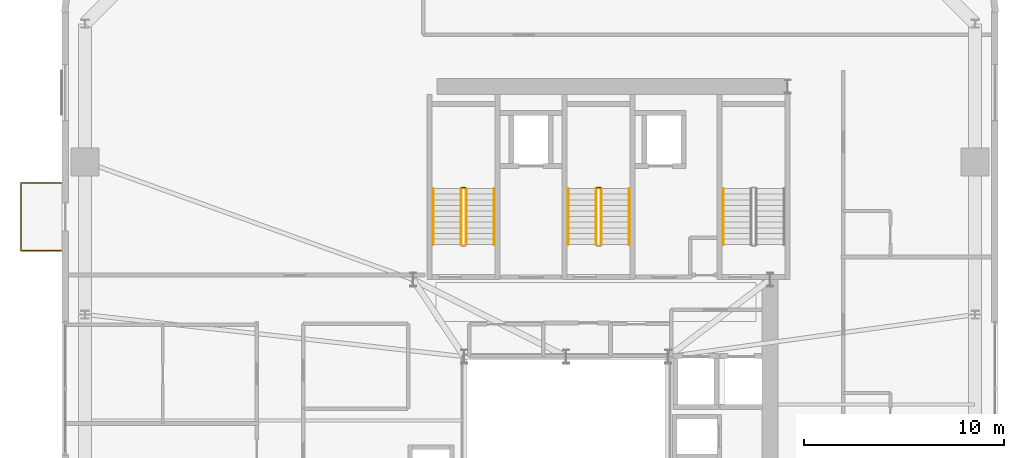
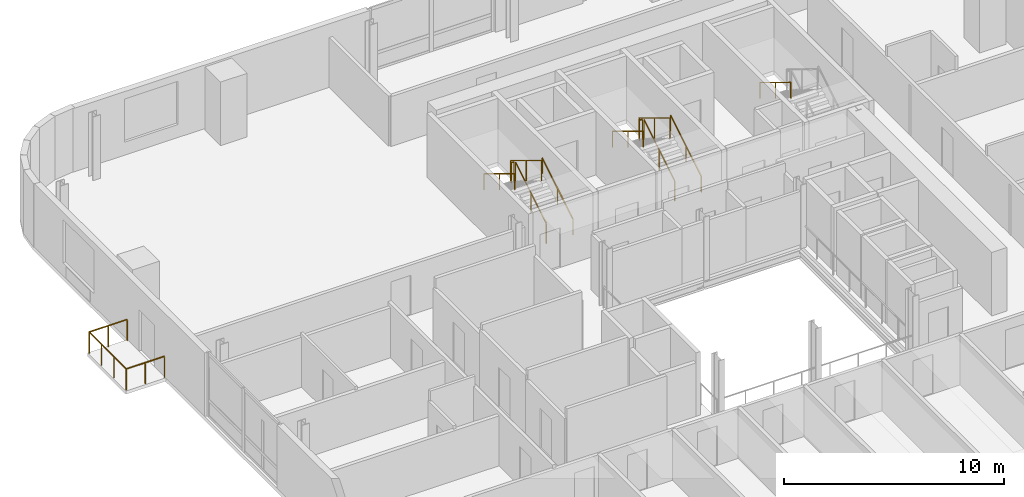
# One storey, part 16 of 17: 12 railings.
"""IFC4 building model written with IfcOpenShell, lengths in metres."""

from ifc_helpers import new_model, si_unit, direction, frame, origin, origin_2d, place, context, subcontext, project, spatial, rectangle, extrude, source, transform, mapped, material, type_object, element, save


model = new_model("IFC4")

# Units and contexts
model_context = context("Model", 3, precision=1e-05, world=origin(), true_north=direction((0.0, 1.0)))
body_context = subcontext(model_context, "Body", "Model", "MODEL_VIEW")
ifc_project = project(units=[si_unit("LENGTHUNIT", "METRE"), si_unit("AREAUNIT", "SQUARE_METRE"), si_unit("VOLUMEUNIT", "CUBIC_METRE"), si_unit("PLANEANGLEUNIT", "RADIAN"), si_unit("MASSUNIT", "GRAM", prefix="KILO")], contexts=[model_context])

# Site, building, storey
site_placement = place(None, origin())
site = spatial("IfcSite", under=ifc_project, at=site_placement, CompositionType="ELEMENT")
building_placement = place(site_placement, origin())
building = spatial("IfcBuilding", under=site, at=building_placement, Name="Vardaveli Station Tower", CompositionType="ELEMENT")
storey_placement = place(building_placement, frame((0.0, 0.0, 218.550048828125)))
storey = spatial("IfcBuildingStorey", under=building, at=storey_placement, Name="L56", CompositionType="ELEMENT", Elevation=218.550048828125)

# Railings
ifc_material_1 = material(Name="Laminated glass and stainless steel balustrade", Category="steel")
railing_type_1 = type_object("IfcRailingType", Name="RL-BAL-1200", PredefinedType="BALUSTRADE", material=ifc_material_1)
shared_shape_1 = source(origin(), body_context, "Body", "SweptSolid", [
    extrude(rectangle(XDim=0.048095703125, YDim=0.048095703125, at=origin_2d()), frame((0.0, 0.0, 1.17578125), z_axis=(-1.0, 0.0, 0.0), x_axis=(0.0, -1.0, 0.0)), (0.0, 0.0, 1.0), 2.0),
    extrude(rectangle(XDim=0.048095703125, YDim=0.048095703125, at=origin_2d()), frame((-2.0, 0.0, 1.17578125), z_axis=(0.0, 1.0, 0.0), x_axis=(-1.0, 0.0, 0.0)), (0.0, 0.0, 1.0), 3.3798828125),
    extrude(rectangle(XDim=0.048095703125, YDim=0.048095703125, at=origin_2d()), frame((-2.0, 3.3798828125, 1.17578125), z_axis=(1.0, 0.0, 0.0), x_axis=(0.0, 1.0, 0.0)), (0.0, 0.0, 1.0), 2.0),
    extrude(rectangle(XDim=0.0419921875, YDim=0.0419921875, at=origin_2d()), origin(), (0.0, 0.0, 1.0), 1.15185546875),
    extrude(rectangle(XDim=0.0419921875, YDim=0.0419921875, at=origin_2d()), frame((-1.0, 0.0, 0.0)), (0.0, 0.0, 1.0), 1.15185546875),
    extrude(rectangle(XDim=0.0419921875, YDim=0.0419921875, at=origin_2d()), frame((-2.0, 0.0, 0.0)), (0.0, 0.0, 1.0), 1.15185546875),
    extrude(rectangle(XDim=0.0419921875, YDim=0.0419921875, at=origin_2d()), frame((-2.0, 1.126708984375, 0.0)), (0.0, 0.0, 1.0), 1.15185546875),
    extrude(rectangle(XDim=0.0419921875, YDim=0.0419921875, at=origin_2d()), frame((-2.0, 2.253173828125, 0.0)), (0.0, 0.0, 1.0), 1.15185546875),
    extrude(rectangle(XDim=0.0419921875, YDim=0.0419921875, at=origin_2d()), frame((-2.0, 3.3798828125, 0.0)), (0.0, 0.0, 1.0), 1.15185546875),
    extrude(rectangle(XDim=0.0419921875, YDim=0.0419921875, at=origin_2d()), frame((-1.0, 3.3798828125, 0.0)), (0.0, 0.0, 1.0), 1.15185546875),
    extrude(rectangle(XDim=0.0419921875, YDim=0.0419921875, at=origin_2d()), frame((0.0, 3.3798828125, 0.0)), (0.0, 0.0, 1.0), 1.15185546875),
])
railing_placement = place(storey_placement, frame((11.06005859375, 32.099609375, 0.0)))
element("IfcRailing", 1, at=railing_placement, inside=storey, type_object=railing_type_1, Name="RL-LOG-L56-03", PredefinedType="BALUSTRADE", context=body_context, shape_type="MappedRepresentation", body=[
    mapped(shared_shape_1, transform((0.0, 0.0, 0.0), scale=1.0)),
])
ifc_material_2 = material(Name="Brushed AISI 316 stainless steel", Category="steel")
railing_type_2 = type_object("IfcRailingType", Name="RL-GUARD-1150", PredefinedType="GUARDRAIL", material=ifc_material_2)
shared_shape_2 = source(origin(), body_context, "Body", "SweptSolid", [
    extrude(rectangle(XDim=0.048095703125, YDim=0.048095703125, at=origin_2d()), frame((0.0, 0.0, 1.1259765625), z_axis=(-1.0, 0.0, 0.0), x_axis=(0.0, -1.0, 0.0)), (0.0, 0.0, 1.0), 0.14990234375),
    extrude(rectangle(XDim=0.0419921875, YDim=0.0419921875, at=origin_2d()), origin(), (0.0, 0.0, 1.0), 1.101806640625),
    extrude(rectangle(XDim=0.0419921875, YDim=0.0419921875, at=origin_2d()), frame((-0.14990234375, 0.0, 0.0)), (0.0, 0.0, 1.0), 1.101806640625),
])
for number, where, name in (
    (2, (31.25, 35.25, 1.875), "L56 ST-1 stair guard 2"),
    (3, (38.0, 35.25, 1.875), "L56 ST-2 stair guard 2"),
):
    element("IfcRailing", number, at=place(storey_placement, frame(where)), inside=storey, type_object=railing_type_2, Name=name, PredefinedType="GUARDRAIL", context=body_context, shape_type="MappedRepresentation", body=[
        mapped(shared_shape_2, transform((0.0, 0.0, 0.0), scale=1.0)),
    ])
shared_shape_3 = source(origin(), body_context, "Body", "SweptSolid", [
    extrude(rectangle(XDim=0.048095703125, YDim=0.048095703125, at=origin_2d()), frame((0.0, 0.0, 1.1259765625), z_axis=(0.0, 0.854169791009, 0.51999420009), x_axis=(-1.0, 0.0, 0.0)), (0.0, 0.0, 1.0), 3.278076171875),
    extrude(rectangle(XDim=0.0419921875, YDim=0.0419921875, at=origin_2d()), origin(), (0.0, 0.0, 1.0), 1.101806640625),
    extrude(rectangle(XDim=0.0419921875, YDim=0.0419921875, at=origin_2d()), frame((0.0, 1.39990234375, 0.852294921875)), (0.0, 0.0, 1.0), 1.101806640625),
    extrude(rectangle(XDim=0.0419921875, YDim=0.0419921875, at=origin_2d()), frame((0.0, 2.800048828125, 1.70458984375)), (0.0, 0.0, 1.0), 1.101806640625),
])
for number, where, name in (
    (4, (31.300048828125, 32.39990234375, 0.17041015625), "L56 ST-1 stair guard 1"),
    (5, (38.050048828125, 32.39990234375, 0.17041015625), "L56 ST-2 stair guard 1"),
):
    element("IfcRailing", number, at=place(storey_placement, frame(where)), inside=storey, type_object=railing_type_2, Name=name, PredefinedType="GUARDRAIL", context=body_context, shape_type="MappedRepresentation", body=[
        mapped(shared_shape_3, transform((0.0, 0.0, 0.0), scale=1.0)),
    ])
shared_shape_4 = source(origin(), body_context, "Body", "SweptSolid", [
    extrude(rectangle(XDim=0.048095703125, YDim=0.048095703125, at=origin_2d()), frame((0.0, 0.0, 1.1259765625), z_axis=(0.0, -0.854169791009, 0.51999420009), x_axis=(1.0, 0.0, 0.0)), (0.0, 0.0, 1.0), 3.278076171875),
    extrude(rectangle(XDim=0.0419921875, YDim=0.0419921875, at=origin_2d()), origin(), (0.0, 0.0, 1.0), 1.101806640625),
    extrude(rectangle(XDim=0.0419921875, YDim=0.0419921875, at=origin_2d()), frame((0.0, -1.39990234375, 0.852294921875)), (0.0, 0.0, 1.0), 1.101806640625),
    extrude(rectangle(XDim=0.0419921875, YDim=0.0419921875, at=origin_2d()), frame((0.0, -2.800048828125, 1.70458984375)), (0.0, 0.0, 1.0), 1.101806640625),
])
for number, where, name in (
    (6, (31.050048828125, 35.199951171875, 2.04541015625), "L56 ST-1 stair guard 3"),
    (7, (37.800048828125, 35.199951171875, 2.04541015625), "L56 ST-2 stair guard 3"),
):
    element("IfcRailing", number, at=place(storey_placement, frame(where)), inside=storey, type_object=railing_type_2, Name=name, PredefinedType="GUARDRAIL", context=body_context, shape_type="MappedRepresentation", body=[
        mapped(shared_shape_4, transform((0.0, 0.0, 0.0), scale=1.0)),
    ])
railing_type_3 = type_object("IfcRailingType", Name="RL-HAND-900", PredefinedType="HANDRAIL", material=ifc_material_2)
shared_shape_5 = source(origin(), body_context, "Body", "SweptSolid", [
    extrude(rectangle(XDim=0.048095703125, YDim=0.048095703125, at=origin_2d()), frame((0.0, 0.0, 0.8759765625), z_axis=(0.0, 0.854169791009, 0.51999420009), x_axis=(-1.0, 0.0, 0.0)), (0.0, 0.0, 1.0), 3.278076171875),
    extrude(rectangle(XDim=0.0419921875, YDim=0.0419921875, at=origin_2d()), origin(), (0.0, 0.0, 1.0), 0.851806640625),
    extrude(rectangle(XDim=0.0419921875, YDim=0.0419921875, at=origin_2d()), frame((0.0, 1.39990234375, 0.852294921875)), (0.0, 0.0, 1.0), 0.851806640625),
    extrude(rectangle(XDim=0.0419921875, YDim=0.0419921875, at=origin_2d()), frame((0.0, 2.800048828125, 1.70458984375)), (0.0, 0.0, 1.0), 0.851806640625),
])
for number, where, name in (
    (8, (32.699951171875, 32.39990234375, 0.17041015625), "L56 ST-1 stair handrail 1"),
    (9, (39.449951171875, 32.39990234375, 0.17041015625), "L56 ST-2 stair handrail 1"),
):
    element("IfcRailing", number, at=place(storey_placement, frame(where)), inside=storey, type_object=railing_type_3, Name=name, PredefinedType="HANDRAIL", context=body_context, shape_type="MappedRepresentation", body=[
        mapped(shared_shape_5, transform((0.0, 0.0, 0.0), scale=1.0)),
    ])
shared_shape_6 = source(origin(), body_context, "Body", "SweptSolid", [
    extrude(rectangle(XDim=0.048095703125, YDim=0.048095703125, at=origin_2d()), frame((0.0, 0.0, 0.8759765625), z_axis=(0.0, -0.854169791009, 0.51999420009), x_axis=(1.0, 0.0, 0.0)), (0.0, 0.0, 1.0), 3.278076171875),
    extrude(rectangle(XDim=0.0419921875, YDim=0.0419921875, at=origin_2d()), origin(), (0.0, 0.0, 1.0), 0.851806640625),
    extrude(rectangle(XDim=0.0419921875, YDim=0.0419921875, at=origin_2d()), frame((0.0, -1.39990234375, 0.852294921875)), (0.0, 0.0, 1.0), 0.851806640625),
    extrude(rectangle(XDim=0.0419921875, YDim=0.0419921875, at=origin_2d()), frame((0.0, -2.800048828125, 1.70458984375)), (0.0, 0.0, 1.0), 0.851806640625),
])
for number, where, name in (
    (10, (29.64990234375, 35.199951171875, 2.04541015625), "L56 ST-1 stair handrail 2"),
    (11, (36.39990234375, 35.199951171875, 2.04541015625), "L56 ST-2 stair handrail 2"),
    (12, (44.14990234375, 35.199951171875, 2.04541015625), "L56 ST-3 stair handrail 2"),
):
    element("IfcRailing", number, at=place(storey_placement, frame(where)), inside=storey, type_object=railing_type_3, Name=name, PredefinedType="HANDRAIL", context=body_context, shape_type="MappedRepresentation", body=[
        mapped(shared_shape_6, transform((0.0, 0.0, 0.0), scale=1.0)),
    ])

save(model, "model.ifc")
